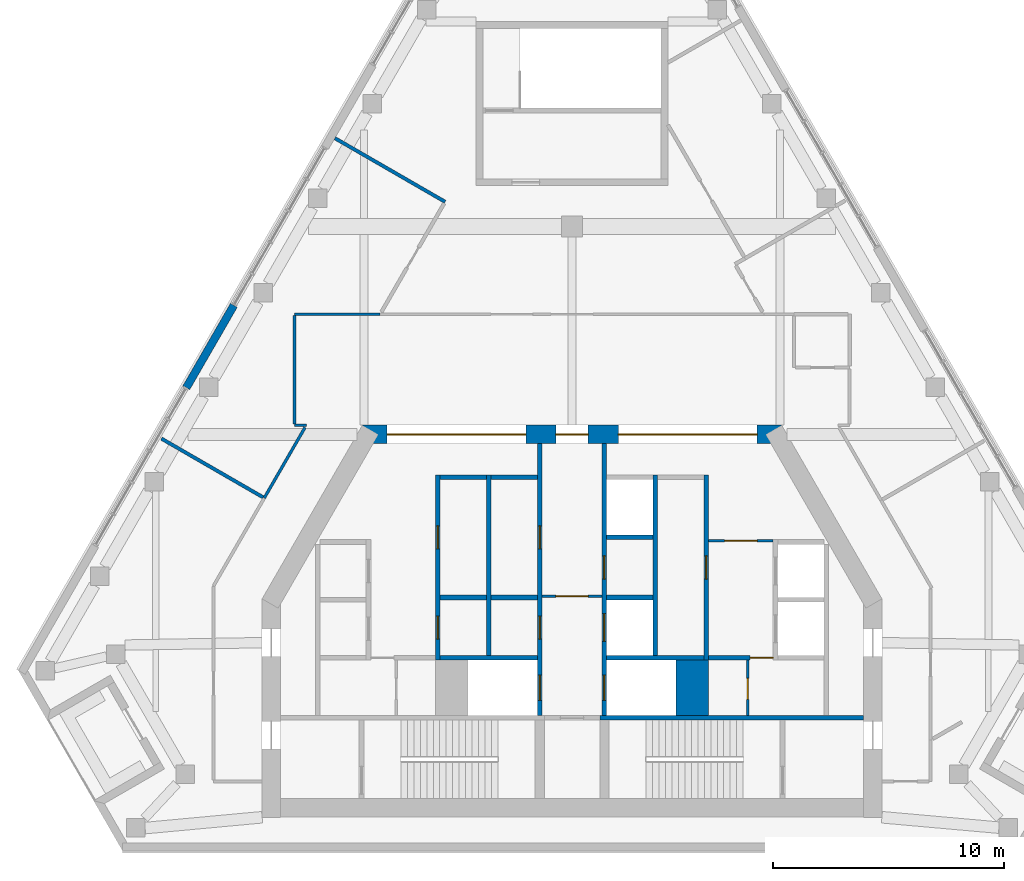
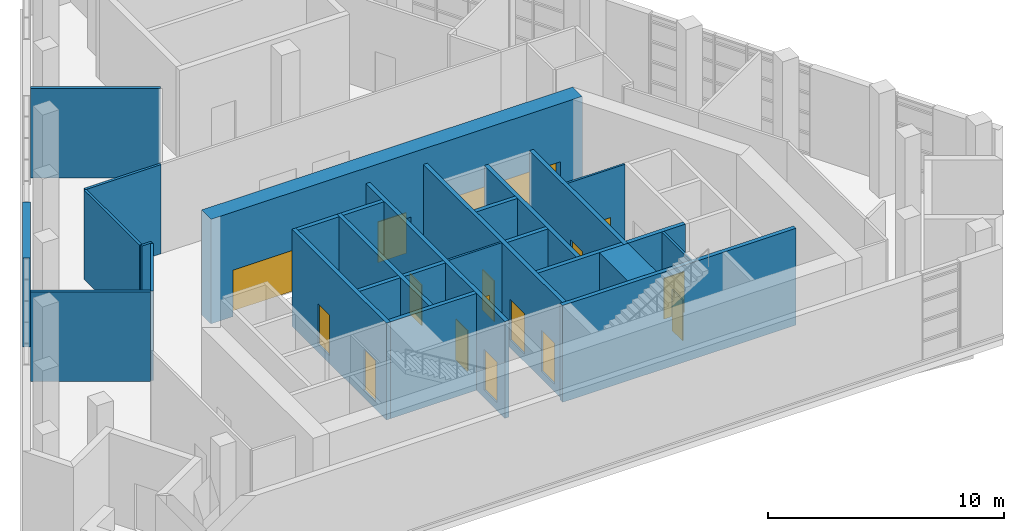
# One storey, part 10 of 13: 28 walls, 16 doors, 16 openings.
"""IFC4 building model written with IfcOpenShell, lengths in metres."""

from ifc_helpers import new_model, si_unit, direction, frame, frame_2d, origin, place, context, subcontext, project, spatial, rectangle, extrude, material, layer, layer_set, type_object, element, fill, save


model = new_model("IFC4")

# Units and contexts
model_context = context("Model", 3, precision=1e-05, world=origin(), true_north=direction((0.0, 1.0)))
body_context = subcontext(model_context, "Body", "Model", "MODEL_VIEW")
ifc_project = project(units=[si_unit("LENGTHUNIT", "METRE"), si_unit("AREAUNIT", "SQUARE_METRE"), si_unit("VOLUMEUNIT", "CUBIC_METRE"), si_unit("PLANEANGLEUNIT", "RADIAN"), si_unit("MASSUNIT", "GRAM", prefix="KILO")], contexts=[model_context])

# Site, building, storey
site_placement = place(None, origin())
site = spatial("IfcSite", under=ifc_project, at=site_placement, CompositionType="ELEMENT")
building_placement = place(site_placement, origin())
building = spatial("IfcBuilding", under=site, at=building_placement, Name="Fogline Exchange Tower", CompositionType="ELEMENT")
storey_placement = place(building_placement, frame((0.0, 0.0, 339.300048828125)))
storey = spatial("IfcBuildingStorey", under=building, at=storey_placement, Name="L77", CompositionType="ELEMENT", Elevation=339.300048828125)

# Wall, opening, door
ifc_material_1 = material(Name="Blockwork partition", Category="masonry")
ifc_layer_1 = layer(ifc_material_1, 0.10009765625)
ifc_layer_set_1 = layer_set([ifc_layer_1], Name="CW10")
wall_type_1 = type_object("IfcWallType", Name="CW10", PredefinedType="PARTITIONING", material=ifc_layer_set_1)
wall_1_placement = place(storey_placement, frame((5.89990234375, 13.39990234375, 0.0), z_axis=(0.0, 0.0, 1.0), x_axis=(1.0, 0.0, 0.0)))
wall_1 = element("IfcWall", 1, at=wall_1_placement, inside=storey, type_object=wall_type_1, Name="Lift lobby partition", PredefinedType="PARTITIONING", context=body_context, shape_type="SweptSolid", body=[
    extrude(rectangle(XDim=2.800048828125, YDim=0.10009765625, at=frame_2d((1.39990234375, 0.0))), origin(), (0.0, 0.0, 1.0), 4.599853515625),
])
opening_1_placement = place(wall_1_placement, frame((0.699951171875, 0.0, 0.0)))
opening_1 = element("IfcOpeningElement", 2, at=opening_1_placement, cuts=wall_1, Name="Opening T25-C015", PredefinedType="OPENING", context=body_context, shape_type="SweptSolid", body=[
    extrude(rectangle(XDim=1.39990234375, YDim=2.10009765625, at=frame_2d((0.699951171875, 1.050048828125))), frame((0.0, 0.06005859375, 0.0), z_axis=(0.0, -1.0, 0.0), x_axis=(1.0, 0.0, 0.0)), (0.0, 0.0, 1.0), 0.1201171875),
])
ifc_material_2 = material(Name="Steel and timber fire door", Category="steel")
door_type_1 = type_object("IfcDoorType", Name="D-LB1", OperationType="DOUBLE_DOOR_SINGLE_SWING", PredefinedType="DOOR", material=ifc_material_2)
door_1_placement = place(opening_1_placement, frame((1.39990234375, 0.0, 0.0), z_axis=(0.0, 0.0, 1.0), x_axis=(-1.0, 0.0, 0.0)))
door_1 = element("IfcDoor", 3, at=door_1_placement, inside=storey, type_object=door_type_1, Name="Door to lift lobby", OperationType="DOUBLE_DOOR_SINGLE_SWING", OverallHeight=2.10009765625, OverallWidth=1.39990234375, PredefinedType="DOOR", context=body_context, shape_type="SweptSolid", body=[
    extrude(rectangle(XDim=1.39990234375, YDim=2.10009765625, at=frame_2d((0.699951171875, 1.050048828125))), frame((0.0, 0.02490234375, 0.0), z_axis=(0.0, -1.0, 0.0), x_axis=(1.0, 0.0, 0.0)), (0.0, 0.0, 1.0), 0.050048828125),
])
fill(opening_1, door_1)

wall_2_placement = place(storey_placement, frame((7.60009765625, 5.85009765625, 0.0), z_axis=(0.0, 0.0, 1.0), x_axis=(0.0, 1.0, 0.0)))
wall_2 = element("IfcWall", 4, at=wall_2_placement, inside=storey, type_object=wall_type_1, Name="WC partition", PredefinedType="PARTITIONING", context=body_context, shape_type="SweptSolid", body=[
    extrude(rectangle(XDim=2.39990234375, YDim=0.10009765625, at=frame_2d((1.199951171875, 0.0))), origin(), (0.0, 0.0, 1.0), 4.599853515625),
])
opening_2_placement = place(wall_2_placement, frame((0.699951171875, 0.0, 0.0)))
opening_2 = element("IfcOpeningElement", 5, at=opening_2_placement, cuts=wall_2, Name="Opening T25-C017", PredefinedType="OPENING", context=body_context, shape_type="SweptSolid", body=[
    extrude(rectangle(XDim=0.89990234375, YDim=2.10009765625, at=frame_2d((0.449951171875, 1.050048828125))), frame((0.0, 0.06005859375, 0.0), z_axis=(0.0, -1.0, 0.0), x_axis=(1.0, 0.0, 0.0)), (0.0, 0.0, 1.0), 0.1201171875),
])
door_type_2 = type_object("IfcDoorType", Name="D-CS1", OperationType="SINGLE_SWING_RIGHT", PredefinedType="DOOR", material=ifc_material_2)
door_2_placement = place(opening_2_placement, origin())
door_2 = element("IfcDoor", 6, at=door_2_placement, inside=storey, type_object=door_type_2, Name="Door to Cleaner's Store", OperationType="SINGLE_SWING_LEFT", OverallHeight=2.10009765625, OverallWidth=0.89990234375, PredefinedType="DOOR", context=body_context, shape_type="SweptSolid", body=[
    extrude(rectangle(XDim=0.89990234375, YDim=2.10009765625, at=frame_2d((0.449951171875, 1.050048828125))), frame((0.0, 0.02490234375, 0.0), z_axis=(0.0, -1.0, 0.0), x_axis=(1.0, 0.0, 0.0)), (0.0, 0.0, 1.0), 0.050048828125),
])
fill(opening_2, door_2)

wall_3_placement = place(storey_placement, frame((-1.300048828125, 11.0, 0.0), z_axis=(0.0, 0.0, 1.0), x_axis=(1.0, 0.0, 0.0)))
wall_3 = element("IfcWall", 7, at=wall_3_placement, inside=storey, type_object=wall_type_1, Name="Lift lobby partition", PredefinedType="PARTITIONING", context=body_context, shape_type="SweptSolid", body=[
    extrude(rectangle(XDim=2.60009765625, YDim=0.10009765625, at=frame_2d((1.300048828125, 0.0))), origin(), (0.0, 0.0, 1.0), 4.599853515625),
])
opening_3_placement = place(wall_3_placement, frame((0.60009765625, 0.0, 0.0)))
opening_3 = element("IfcOpeningElement", 8, at=opening_3_placement, cuts=wall_3, Name="Opening T25-C021", PredefinedType="OPENING", context=body_context, shape_type="SweptSolid", body=[
    extrude(rectangle(XDim=1.39990234375, YDim=2.10009765625, at=frame_2d((0.699951171875, 1.050048828125))), frame((0.0, 0.06005859375, 0.0), z_axis=(0.0, -1.0, 0.0), x_axis=(1.0, 0.0, 0.0)), (0.0, 0.0, 1.0), 0.1201171875),
])
door_3_placement = place(opening_3_placement, frame((1.39990234375, 0.0, 0.0), z_axis=(0.0, 0.0, 1.0), x_axis=(-1.0, 0.0, 0.0)))
door_3 = element("IfcDoor", 9, at=door_3_placement, inside=storey, type_object=door_type_1, Name="Door to firefighting lift lobby", OperationType="DOUBLE_DOOR_SINGLE_SWING", OverallHeight=2.10009765625, OverallWidth=1.39990234375, PredefinedType="DOOR", context=body_context, shape_type="SweptSolid", body=[
    extrude(rectangle(XDim=1.39990234375, YDim=2.10009765625, at=frame_2d((0.699951171875, 1.050048828125))), frame((0.0, 0.02490234375, 0.0), z_axis=(0.0, -1.0, 0.0), x_axis=(1.0, 0.0, 0.0)), (0.0, 0.0, 1.0), 0.050048828125),
])
fill(opening_3, door_3)

# Walls
ifc_material_3 = material(Name="Concrete C60", Category="concrete")
ifc_layer_2 = layer(ifc_material_3, 1.39990234375)
ifc_layer_set_2 = layer_set([ifc_layer_2], Name="CW140")
wall_type_2 = type_object("IfcWallType", Name="CW140", PredefinedType="SOLIDWALL", material=ifc_layer_set_2)
wall_4_placement = place(storey_placement, frame((5.199951171875, 5.85009765625, -0.400146484375), z_axis=(0.0, 0.0, 1.0), x_axis=(0.0, 1.0, 0.0)))
element("IfcWall", 10, at=wall_4_placement, inside=storey, type_object=wall_type_2, Name="Lift shaft block wall", PredefinedType="SOLIDWALL", context=body_context, shape_type="SweptSolid", body=[
    extrude(rectangle(XDim=2.39990234375, YDim=1.39990234375, at=frame_2d((1.199951171875, 0.0))), origin(), (0.0, 0.0, 1.0), 5.0),
])
ifc_material_4 = material(Name="Concrete C40", Category="concrete")
ifc_layer_3 = layer(ifc_material_4, 0.199951171875)
ifc_layer_set_3 = layer_set([ifc_layer_3], Name="CW20")
wall_type_3 = type_object("IfcWallType", Name="CW20", PredefinedType="SOLIDWALL", material=ifc_layer_set_3)
for number, where, z_axis, x_axis, name in (
    (11, (-5.699951171875, 10.949951171875, 0.0), (0.0, 0.0, 1.0), (1.0, 0.0, 0.0), "Service room wall"),
    (12, (-3.5, 10.949951171875, 0.0), (0.0, 0.0, 1.0), (1.0, 0.0, 0.0), "Service room wall"),
):
    element("IfcWall", number, at=place(storey_placement, frame(where, z_axis=z_axis, x_axis=x_axis)), inside=storey, type_object=wall_type_3, Name=name, PredefinedType="SOLIDWALL", context=body_context, shape_type="SweptSolid", body=[
        extrude(rectangle(XDim=2.0, YDim=0.199951171875, at=frame_2d((1.0, 0.0))), origin(), (0.0, 0.0, 1.0), 4.599853515625),
    ])

# Wall, opening, door
wall_5_placement = place(storey_placement, frame((5.89990234375, 8.35009765625, 0.0), z_axis=(0.0, 0.0, 1.0), x_axis=(1.0, 0.0, 0.0)))
wall_5 = element("IfcWall", 13, at=wall_5_placement, inside=storey, type_object=wall_type_3, Name="WC wall", PredefinedType="SOLIDWALL", context=body_context, shape_type="SweptSolid", body=[
    extrude(rectangle(XDim=2.800048828125, YDim=0.199951171875, at=frame_2d((1.39990234375, 0.0))), origin(), (0.0, 0.0, 1.0), 4.599853515625),
])
opening_4_placement = place(wall_5_placement, frame((1.800048828125, 0.0, 0.0)))
opening_4 = element("IfcOpeningElement", 14, at=opening_4_placement, cuts=wall_5, Name="Opening T25-C016", PredefinedType="OPENING", context=body_context, shape_type="SweptSolid", body=[
    extrude(rectangle(XDim=1.0, YDim=2.10009765625, at=frame_2d((0.5, 1.050048828125))), frame((0.0, 0.10986328125, 0.0), z_axis=(0.0, -1.0, 0.0), x_axis=(1.0, 0.0, 0.0)), (0.0, 0.0, 1.0), 0.219970703125),
])
door_type_3 = type_object("IfcDoorType", Name="D-WC1", OperationType="SINGLE_SWING_LEFT", PredefinedType="DOOR", material=ifc_material_2)
door_4_placement = place(opening_4_placement, frame((1.0, 0.0, 0.0), z_axis=(0.0, 0.0, 1.0), x_axis=(-1.0, 0.0, 0.0)))
door_4 = element("IfcDoor", 15, at=door_4_placement, inside=storey, type_object=door_type_3, Name="Door to Women's WC", OperationType="SINGLE_SWING_LEFT", OverallHeight=2.10009765625, OverallWidth=1.0, PredefinedType="DOOR", context=body_context, shape_type="SweptSolid", body=[
    extrude(rectangle(XDim=1.0, YDim=2.10009765625, at=frame_2d((0.5, 1.050048828125))), frame((0.0, 0.02490234375, 0.0), z_axis=(0.0, -1.0, 0.0), x_axis=(1.0, 0.0, 0.0)), (0.0, 0.0, 1.0), 0.050048828125),
])
fill(opening_4, door_4)

# Wall
ifc_layer_4 = layer(ifc_material_4, 0.199951171875)
ifc_layer_set_4 = layer_set([ifc_layer_4], Name="CW20R")
wall_type_4 = type_object("IfcWallType", Name="CW20R", PredefinedType="SOLIDWALL", material=ifc_layer_set_4)
wall_6_placement = place(storey_placement, frame((1.199951171875, 5.75, -0.400146484375), z_axis=(0.0, 0.0, 1.0), x_axis=(1.0, 0.0, 0.0)))
element("IfcWall", 16, at=wall_6_placement, inside=storey, type_object=wall_type_4, Name="Stair enclosure wall", PredefinedType="SOLIDWALL", context=body_context, shape_type="SweptSolid", body=[
    extrude(rectangle(XDim=11.400146484375, YDim=0.199951171875, at=frame_2d((5.7001953125, 0.0))), origin(), (0.0, 0.0, 1.0), 5.0),
])

# Wall, openings, doors
ifc_layer_5 = layer(ifc_material_4, 0.199951171875)
ifc_layer_set_5 = layer_set([ifc_layer_5], Name="CW20S")
wall_type_5 = type_object("IfcWallType", Name="CW20S", PredefinedType="SOLIDWALL", material=ifc_layer_set_5)
wall_7_placement = place(storey_placement, frame((-5.800048828125, 8.25, -0.400146484375), z_axis=(0.0, 0.0, 1.0), x_axis=(0.0, 1.0, 0.0)))
wall_7 = element("IfcWall", 17, at=wall_7_placement, inside=storey, type_object=wall_type_5, Name="Lift shaft wall", PredefinedType="SOLIDWALL", context=body_context, shape_type="SweptSolid", body=[
    extrude(rectangle(XDim=8.0, YDim=0.199951171875, at=frame_2d((4.0, 0.0))), origin(), (0.0, 0.0, 1.0), 5.0),
])
opening_5_placement = place(wall_7_placement, frame((0.89990234375, 0.0, 0.39990234375)))
opening_5 = element("IfcOpeningElement", 18, at=opening_5_placement, cuts=wall_7, Name="Opening T25-C003", PredefinedType="OPENING", context=body_context, shape_type="SweptSolid", body=[
    extrude(rectangle(XDim=1.0, YDim=2.10009765625, at=frame_2d((0.5, 1.050048828125))), frame((0.0, 0.10986328125, 0.0), z_axis=(0.0, -1.0, 0.0), x_axis=(1.0, 0.0, 0.0)), (0.0, 0.0, 1.0), 0.219970703125),
])
opening_6_placement = place(wall_7_placement, frame((4.800048828125, 0.0, 0.39990234375)))
opening_6 = element("IfcOpeningElement", 19, at=opening_6_placement, cuts=wall_7, Name="Opening T25-C004", PredefinedType="OPENING", context=body_context, shape_type="SweptSolid", body=[
    extrude(rectangle(XDim=1.0, YDim=2.10009765625, at=frame_2d((0.5, 1.050048828125))), frame((0.0, 0.10986328125, 0.0), z_axis=(0.0, -1.0, 0.0), x_axis=(1.0, 0.0, 0.0)), (0.0, 0.0, 1.0), 0.219970703125),
])
door_type_4 = type_object("IfcDoorType", Name="D-RM1", OperationType="SINGLE_SWING_LEFT", PredefinedType="DOOR", material=ifc_material_2)
door_5_placement = place(opening_5_placement, frame((1.0, 0.0, 0.0), z_axis=(0.0, 0.0, 1.0), x_axis=(-1.0, 0.0, 0.0)))
door_5 = element("IfcDoor", 20, at=door_5_placement, inside=storey, type_object=door_type_4, Name="Door to Archive Store", OperationType="SINGLE_SWING_LEFT", OverallHeight=2.10009765625, OverallWidth=1.0, PredefinedType="DOOR", context=body_context, shape_type="SweptSolid", body=[
    extrude(rectangle(XDim=1.0, YDim=2.10009765625, at=frame_2d((0.5, 1.050048828125))), frame((0.0, 0.02490234375, 0.0), z_axis=(0.0, -1.0, 0.0), x_axis=(1.0, 0.0, 0.0)), (0.0, 0.0, 1.0), 0.050048828125),
])
fill(opening_5, door_5)
door_6_placement = place(opening_6_placement, frame((1.0, 0.0, 0.0), z_axis=(0.0, 0.0, 1.0), x_axis=(-1.0, 0.0, 0.0)))
door_6 = element("IfcDoor", 21, at=door_6_placement, inside=storey, type_object=door_type_4, Name="Door to Storage Room", OperationType="SINGLE_SWING_RIGHT", OverallHeight=2.10009765625, OverallWidth=1.0, PredefinedType="DOOR", context=body_context, shape_type="SweptSolid", body=[
    extrude(rectangle(XDim=1.0, YDim=2.10009765625, at=frame_2d((0.5, 1.050048828125))), frame((0.0, 0.02490234375, 0.0), z_axis=(0.0, -1.0, 0.0), x_axis=(1.0, 0.0, 0.0)), (0.0, 0.0, 1.0), 0.050048828125),
])
fill(opening_6, door_6)

# Wall, opening, door
wall_8_placement = place(storey_placement, frame((5.800048828125, 8.25, -0.400146484375), z_axis=(0.0, 0.0, 1.0), x_axis=(0.0, 1.0, 0.0)))
wall_8 = element("IfcWall", 22, at=wall_8_placement, inside=storey, type_object=wall_type_5, Name="Lift shaft wall", PredefinedType="SOLIDWALL", context=body_context, shape_type="SweptSolid", body=[
    extrude(rectangle(XDim=8.0, YDim=0.199951171875, at=frame_2d((4.0, 0.0))), origin(), (0.0, 0.0, 1.0), 5.0),
])
opening_7_placement = place(wall_8_placement, frame((3.5, 0.0, 0.39990234375)))
opening_7 = element("IfcOpeningElement", 23, at=opening_7_placement, cuts=wall_8, Name="Opening T25-C007", PredefinedType="OPENING", context=body_context, shape_type="SweptSolid", body=[
    extrude(rectangle(XDim=1.0, YDim=2.10009765625, at=frame_2d((0.5, 1.050048828125))), frame((0.0, 0.10986328125, 0.0), z_axis=(0.0, -1.0, 0.0), x_axis=(1.0, 0.0, 0.0)), (0.0, 0.0, 1.0), 0.219970703125),
])
door_7_placement = place(opening_7_placement, origin())
door_7 = element("IfcDoor", 24, at=door_7_placement, inside=storey, type_object=door_type_4, Name="Door to Pantry", OperationType="SINGLE_SWING_LEFT", OverallHeight=2.10009765625, OverallWidth=1.0, PredefinedType="DOOR", context=body_context, shape_type="SweptSolid", body=[
    extrude(rectangle(XDim=1.0, YDim=2.10009765625, at=frame_2d((0.5, 1.050048828125))), frame((0.0, 0.02490234375, 0.0), z_axis=(0.0, -1.0, 0.0), x_axis=(1.0, 0.0, 0.0)), (0.0, 0.0, 1.0), 0.050048828125),
])
fill(opening_7, door_7)

# Walls
for number, where, z_axis, x_axis, name in (
    (25, (-3.60009765625, 8.449951171875, -0.400146484375), (0.0, 0.0, 1.0), (0.0, 1.0, 0.0), "Lift shaft wall"),
    (26, (3.60009765625, 8.449951171875, -0.400146484375), (0.0, 0.0, 1.0), (0.0, 1.0, 0.0), "Lift shaft wall"),
):
    element("IfcWall", number, at=place(storey_placement, frame(where, z_axis=z_axis, x_axis=x_axis)), inside=storey, type_object=wall_type_5, Name=name, PredefinedType="SOLIDWALL", context=body_context, shape_type="SweptSolid", body=[
        extrude(rectangle(XDim=7.800048828125, YDim=0.199951171875, at=frame_2d((3.89990234375, 0.0))), origin(), (0.0, 0.0, 1.0), 5.0),
    ])

# Wall, openings, doors
wall_9_placement = place(storey_placement, frame((-1.39990234375, 5.85009765625, -0.400146484375), z_axis=(0.0, 0.0, 1.0), x_axis=(0.0, 1.0, 0.0)))
wall_9 = element("IfcWall", 27, at=wall_9_placement, inside=storey, type_object=wall_type_5, Name="Lift lobby wall", PredefinedType="SOLIDWALL", context=body_context, shape_type="SweptSolid", body=[
    extrude(rectangle(XDim=11.75, YDim=0.199951171875, at=frame_2d((5.875, 0.0))), origin(), (0.0, 0.0, 1.0), 5.0),
])
opening_8_placement = place(wall_9_placement, frame((0.64990234375, 0.0, 0.39990234375)))
opening_8 = element("IfcOpeningElement", 28, at=opening_8_placement, cuts=wall_9, Name="Opening T25-LD01", PredefinedType="OPENING", context=body_context, shape_type="SweptSolid", body=[
    extrude(rectangle(XDim=1.10009765625, YDim=2.10009765625, at=frame_2d((0.550048828125, 1.050048828125))), frame((0.0, 0.10986328125, 0.0), z_axis=(0.0, -1.0, 0.0), x_axis=(1.0, 0.0, 0.0)), (0.0, 0.0, 1.0), 0.219970703125),
])
opening_9_placement = place(wall_9_placement, frame((3.300048828125, 0.0, 0.39990234375)))
opening_9 = element("IfcOpeningElement", 29, at=opening_9_placement, cuts=wall_9, Name="Opening T25-C005", PredefinedType="OPENING", context=body_context, shape_type="SweptSolid", body=[
    extrude(rectangle(XDim=1.0, YDim=2.10009765625, at=frame_2d((0.5, 1.050048828125))), frame((0.0, 0.10986328125, 0.0), z_axis=(0.0, -1.0, 0.0), x_axis=(1.0, 0.0, 0.0)), (0.0, 0.0, 1.0), 0.219970703125),
])
opening_10_placement = place(wall_9_placement, frame((7.199951171875, 0.0, 0.39990234375)))
opening_10 = element("IfcOpeningElement", 30, at=opening_10_placement, cuts=wall_9, Name="Opening T25-C006", PredefinedType="OPENING", context=body_context, shape_type="SweptSolid", body=[
    extrude(rectangle(XDim=1.0, YDim=2.10009765625, at=frame_2d((0.5, 1.050048828125))), frame((0.0, 0.10986328125, 0.0), z_axis=(0.0, -1.0, 0.0), x_axis=(1.0, 0.0, 0.0)), (0.0, 0.0, 1.0), 0.219970703125),
])
door_8_placement = place(opening_9_placement, origin())
door_8 = element("IfcDoor", 31, at=door_8_placement, inside=storey, type_object=door_type_4, Name="Door to Stationery Store", OperationType="SINGLE_SWING_LEFT", OverallHeight=2.10009765625, OverallWidth=1.0, PredefinedType="DOOR", context=body_context, shape_type="SweptSolid", body=[
    extrude(rectangle(XDim=1.0, YDim=2.10009765625, at=frame_2d((0.5, 1.050048828125))), frame((0.0, 0.02490234375, 0.0), z_axis=(0.0, -1.0, 0.0), x_axis=(1.0, 0.0, 0.0)), (0.0, 0.0, 1.0), 0.050048828125),
])
fill(opening_9, door_8)
door_9_placement = place(opening_10_placement, origin())
door_9 = element("IfcDoor", 32, at=door_9_placement, inside=storey, type_object=door_type_4, Name="Door to Reprographics Room", OperationType="SINGLE_SWING_LEFT", OverallHeight=2.10009765625, OverallWidth=1.0, PredefinedType="DOOR", context=body_context, shape_type="SweptSolid", body=[
    extrude(rectangle(XDim=1.0, YDim=2.10009765625, at=frame_2d((0.5, 1.050048828125))), frame((0.0, 0.02490234375, 0.0), z_axis=(0.0, -1.0, 0.0), x_axis=(1.0, 0.0, 0.0)), (0.0, 0.0, 1.0), 0.050048828125),
])
fill(opening_10, door_9)
door_type_5 = type_object("IfcDoorType", Name="LD2", OperationType="SLIDING_TO_RIGHT", PredefinedType="DOOR", material=ifc_material_2)
door_10_placement = place(opening_8_placement, origin())
door_10 = element("IfcDoor", 33, at=door_10_placement, inside=storey, type_object=door_type_5, Name="Landing door FF1", OperationType="SLIDING_TO_RIGHT", OverallHeight=2.10009765625, OverallWidth=1.10009765625, PredefinedType="DOOR", context=body_context, shape_type="SweptSolid", body=[
    extrude(rectangle(XDim=1.10009765625, YDim=2.10009765625, at=frame_2d((0.550048828125, 1.050048828125))), frame((0.0, 0.02490234375, 0.0), z_axis=(0.0, -1.0, 0.0), x_axis=(1.0, 0.0, 0.0)), (0.0, 0.0, 1.0), 0.050048828125),
])
fill(opening_8, door_10)

wall_10_placement = place(storey_placement, frame((1.39990234375, 5.85009765625, -0.400146484375), z_axis=(0.0, 0.0, 1.0), x_axis=(0.0, 1.0, 0.0)))
wall_10 = element("IfcWall", 34, at=wall_10_placement, inside=storey, type_object=wall_type_5, Name="Lift lobby wall", PredefinedType="SOLIDWALL", context=body_context, shape_type="SweptSolid", body=[
    extrude(rectangle(XDim=11.75, YDim=0.199951171875, at=frame_2d((5.875, 0.0))), origin(), (0.0, 0.0, 1.0), 5.0),
])
opening_11_placement = place(wall_10_placement, frame((3.199951171875, 0.0, 0.39990234375)))
opening_11 = element("IfcOpeningElement", 35, at=opening_11_placement, cuts=wall_10, Name="Opening T25-LD04", PredefinedType="OPENING", context=body_context, shape_type="SweptSolid", body=[
    extrude(rectangle(XDim=1.199951171875, YDim=2.10009765625, at=frame_2d((0.60009765625, 1.050048828125))), frame((0.0, 0.10986328125, 0.0), z_axis=(0.0, -1.0, 0.0), x_axis=(1.0, 0.0, 0.0)), (0.0, 0.0, 1.0), 0.219970703125),
])
opening_12_placement = place(wall_10_placement, frame((0.64990234375, 0.0, 0.39990234375)))
opening_12 = element("IfcOpeningElement", 36, at=opening_12_placement, cuts=wall_10, Name="Opening T25-LD05", PredefinedType="OPENING", context=body_context, shape_type="SweptSolid", body=[
    extrude(rectangle(XDim=1.10009765625, YDim=2.10009765625, at=frame_2d((0.550048828125, 1.050048828125))), frame((0.0, 0.10986328125, 0.0), z_axis=(0.0, -1.0, 0.0), x_axis=(1.0, 0.0, 0.0)), (0.0, 0.0, 1.0), 0.219970703125),
])
opening_13_placement = place(wall_10_placement, frame((5.89990234375, 0.0, 0.39990234375)))
opening_13 = element("IfcOpeningElement", 37, at=opening_13_placement, cuts=wall_10, Name="Opening T25-C008", PredefinedType="OPENING", context=body_context, shape_type="SweptSolid", body=[
    extrude(rectangle(XDim=1.0, YDim=2.10009765625, at=frame_2d((0.5, 1.050048828125))), frame((0.0, 0.10986328125, 0.0), z_axis=(0.0, -1.0, 0.0), x_axis=(1.0, 0.0, 0.0)), (0.0, 0.0, 1.0), 0.219970703125),
])
door_11_placement = place(opening_13_placement, frame((1.0, 0.0, 0.0), z_axis=(0.0, 0.0, 1.0), x_axis=(-1.0, 0.0, 0.0)))
door_11 = element("IfcDoor", 38, at=door_11_placement, inside=storey, type_object=door_type_4, Name="Door to Archive Store", OperationType="SINGLE_SWING_RIGHT", OverallHeight=2.10009765625, OverallWidth=1.0, PredefinedType="DOOR", context=body_context, shape_type="SweptSolid", body=[
    extrude(rectangle(XDim=1.0, YDim=2.10009765625, at=frame_2d((0.5, 1.050048828125))), frame((0.0, 0.02490234375, 0.0), z_axis=(0.0, -1.0, 0.0), x_axis=(1.0, 0.0, 0.0)), (0.0, 0.0, 1.0), 0.050048828125),
])
fill(opening_13, door_11)
door_type_6 = type_object("IfcDoorType", Name="LD1", OperationType="SLIDING_TO_LEFT", PredefinedType="DOOR", material=ifc_material_2)
door_12_placement = place(opening_11_placement, origin())
door_12 = element("IfcDoor", 39, at=door_12_placement, inside=storey, type_object=door_type_6, Name="Landing door HR3", OperationType="SLIDING_TO_LEFT", OverallHeight=2.10009765625, OverallWidth=1.199951171875, PredefinedType="DOOR", context=body_context, shape_type="SweptSolid", body=[
    extrude(rectangle(XDim=1.199951171875, YDim=2.10009765625, at=frame_2d((0.60009765625, 1.050048828125))), frame((0.0, 0.02490234375, 0.0), z_axis=(0.0, -1.0, 0.0), x_axis=(1.0, 0.0, 0.0)), (0.0, 0.0, 1.0), 0.050048828125),
])
fill(opening_11, door_12)
door_13_placement = place(opening_12_placement, origin())
door_13 = element("IfcDoor", 40, at=door_13_placement, inside=storey, type_object=door_type_5, Name="Landing door FF2", OperationType="SLIDING_TO_RIGHT", OverallHeight=2.10009765625, OverallWidth=1.10009765625, PredefinedType="DOOR", context=body_context, shape_type="SweptSolid", body=[
    extrude(rectangle(XDim=1.10009765625, YDim=2.10009765625, at=frame_2d((0.550048828125, 1.050048828125))), frame((0.0, 0.02490234375, 0.0), z_axis=(0.0, -1.0, 0.0), x_axis=(1.0, 0.0, 0.0)), (0.0, 0.0, 1.0), 0.050048828125),
])
fill(opening_12, door_13)

# Walls
for number, where, z_axis, x_axis, name in (
    (41, (-5.699951171875, 8.35009765625, -0.400146484375), (0.0, 0.0, 1.0), (1.0, 0.0, 0.0), "Lift shaft wall"),
    (42, (1.5, 8.35009765625, -0.400146484375), (0.0, 0.0, 1.0), (1.0, 0.0, 0.0), "Lift shaft wall"),
):
    element("IfcWall", number, at=place(storey_placement, frame(where, z_axis=z_axis, x_axis=x_axis)), inside=storey, type_object=wall_type_5, Name=name, PredefinedType="SOLIDWALL", context=body_context, shape_type="SweptSolid", body=[
        extrude(rectangle(XDim=4.199951171875, YDim=0.199951171875, at=frame_2d((2.10009765625, 0.0))), origin(), (0.0, 0.0, 1.0), 5.0),
    ])
for number, where, z_axis, x_axis, name in (
    (43, (-5.699951171875, 16.14990234375, -0.400146484375), (0.0, 0.0, 1.0), (1.0, 0.0, 0.0), "Lift shaft wall"),
    (44, (-3.5, 16.14990234375, -0.400146484375), (0.0, 0.0, 1.0), (1.0, 0.0, 0.0), "Lift shaft wall"),
    (45, (1.5, 10.949951171875, -0.400146484375), (0.0, 0.0, 1.0), (1.0, 0.0, 0.0), "Lift shaft wall"),
    (46, (1.5, 13.550048828125, -0.400146484375), (0.0, 0.0, 1.0), (1.0, 0.0, 0.0), "Lift shaft wall"),
):
    element("IfcWall", number, at=place(storey_placement, frame(where, z_axis=z_axis, x_axis=x_axis)), inside=storey, type_object=wall_type_5, Name=name, PredefinedType="SOLIDWALL", context=body_context, shape_type="SweptSolid", body=[
        extrude(rectangle(XDim=2.0, YDim=0.199951171875, at=frame_2d((1.0, 0.0))), origin(), (0.0, 0.0, 1.0), 5.0),
    ])
ifc_material_5 = material(Name="Brick masonry", Category="masonry")
ifc_layer_6 = layer(ifc_material_5, 0.340087890625)
ifc_layer_set_6 = layer_set([ifc_layer_6], Name="FW1")
wall_type_6 = type_object("IfcWallType", Name="FW1", PredefinedType="SOLIDWALL", material=ifc_layer_set_6)
wall_11_placement = place(storey_placement, frame((-14.62158203125, 23.585693359375, 0.0), z_axis=(0.0, 0.0, 1.0), x_axis=(-0.499974107589, -0.866040352259, 0.0)))
element("IfcWall", 47, at=wall_11_placement, inside=storey, type_object=wall_type_6, Name="Brick wall L77 W bay 3", PredefinedType="SOLIDWALL", context=body_context, shape_type="SweptSolid", body=[
    extrude(rectangle(XDim=4.114990234375, YDim=0.340087890625, at=frame_2d((2.0576171875, 0.0))), origin(), (0.0, 0.0, 1.0), 4.599853515625),
])
ifc_material_6 = material(Name="Plasterboard corridor partition with mineral wool, 2 layers each side")
ifc_layer_7 = layer(ifc_material_6, 0.125)
ifc_layer_set_7 = layer_set([ifc_layer_7], Name="PW2")
wall_type_7 = type_object("IfcWallType", Name="PW2", PredefinedType="PARTITIONING", material=ifc_layer_set_7)
wall_12_placement = place(storey_placement, frame((-11.489990234375, 18.39990234375, 0.0), z_axis=(0.0, 0.0, 1.0), x_axis=(-1.0, 0.0, 0.0)))
element("IfcWall", 48, at=wall_12_placement, inside=storey, type_object=wall_type_7, Name="wall-L77-W012", PredefinedType="PARTITIONING", context=body_context, shape_type="SweptSolid", body=[
    extrude(rectangle(XDim=0.510009765625, YDim=0.125, at=frame_2d((0.2548828125, 0.0))), origin(), (0.0, 0.0, 1.0), 4.599853515625),
])
wall_13_placement = place(storey_placement, frame((-12.0, 18.46240234375, 0.0), z_axis=(0.0, 0.0, 1.0), x_axis=(0.0, 1.0, 0.0)))
element("IfcWall", 49, at=wall_13_placement, inside=storey, type_object=wall_type_7, Name="wall-L77-W013", PredefinedType="PARTITIONING", context=body_context, shape_type="SweptSolid", body=[
    extrude(rectangle(XDim=4.675048828125, YDim=0.125, at=frame_2d((2.33740234375, 0.0))), origin(), (0.0, 0.0, 1.0), 4.599853515625),
])
wall_14_placement = place(storey_placement, frame((-12.0, 23.199951171875, 0.0), z_axis=(0.0, 0.0, 1.0), x_axis=(1.0, 0.0, 0.0)))
element("IfcWall", 50, at=wall_14_placement, inside=storey, type_object=wall_type_7, Name="wall-L77-W014", PredefinedType="PARTITIONING", context=body_context, shape_type="SweptSolid", body=[
    extrude(rectangle(XDim=3.702880859375, YDim=0.125, at=frame_2d((1.8515625, 0.0))), origin(), (0.0, 0.0, 1.0), 4.599853515625),
])
wall_15_placement = place(storey_placement, frame((-13.30615234375, 15.25439453125, 0.0), z_axis=(0.0, 0.0, 1.0), x_axis=(0.499984357326, 0.866034434898, 0.0)))
element("IfcWall", 51, at=wall_15_placement, inside=storey, type_object=wall_type_7, Name="wall-L77-W015", PredefinedType="PARTITIONING", context=body_context, shape_type="SweptSolid", body=[
    extrude(rectangle(XDim=3.5234375, YDim=0.125, at=frame_2d((1.76171875, 0.0))), origin(), (0.0, 0.0, 1.0), 4.599853515625),
])
ifc_material_7 = material(Name="Plasterboard demising partition with mineral wool and acoustic board")
ifc_layer_8 = layer(ifc_material_7, 0.14990234375)
ifc_layer_set_8 = layer_set([ifc_layer_8], Name="PW3")
wall_type_8 = type_object("IfcWallType", Name="PW3", PredefinedType="PARTITIONING", material=ifc_layer_set_8)
wall_16_placement = place(storey_placement, frame((-5.489990234375, 28.06201171875, 0.0), z_axis=(0.0, 0.0, 1.0), x_axis=(-0.866027397988, 0.499996545922, 0.0)))
element("IfcWall", 52, at=wall_16_placement, inside=storey, type_object=wall_type_8, Name="wall-L77-W029", PredefinedType="PARTITIONING", context=body_context, shape_type="SweptSolid", body=[
    extrude(rectangle(XDim=5.5, YDim=0.14990234375, at=frame_2d((2.75, 0.0))), origin(), (0.0, 0.0, 1.0), 4.599853515625),
])
wall_17_placement = place(storey_placement, frame((-13.3603515625, 15.285400390625, 0.0), z_axis=(0.0, 0.0, 1.0), x_axis=(-0.86601005171, 0.50002658963, 0.0)))
element("IfcWall", 53, at=wall_17_placement, inside=storey, type_object=wall_type_8, Name="wall-L77-W030", PredefinedType="PARTITIONING", context=body_context, shape_type="SweptSolid", body=[
    extrude(rectangle(XDim=5.072509765625, YDim=0.14990234375, at=frame_2d((2.5361328125, 0.0))), origin(), (0.0, 0.0, 1.0), 4.599853515625),
])

# Wall, openings, doors
ifc_material_8 = material(Name="Concrete C50", Category="concrete")
ifc_layer_9 = layer(ifc_material_8, 0.800048828125)
ifc_layer_set_9 = layer_set([ifc_layer_9], Name="SW04")
wall_type_9 = type_object("IfcWallType", Name="SW04", PredefinedType="SHEAR", material=ifc_layer_set_9)
wall_18_placement = place(storey_placement, frame((9.065185546875, 18.0, 0.0), z_axis=(0.0, 0.0, 1.0), x_axis=(-1.0, 0.0, 0.0)))
wall_18 = element("IfcWall", 54, at=wall_18_placement, inside=storey, type_object=wall_type_9, Name="L77-W904", PredefinedType="SHEAR", context=body_context, shape_type="SweptSolid", body=[
    extrude(rectangle(XDim=18.13037109375, YDim=0.800048828125, at=frame_2d((9.065185546875, 0.0))), origin(), (0.0, 0.0, 1.0), 5.39990234375),
])
opening_14_placement = place(wall_18_placement, frame((8.364990234375, 0.0, 0.0)))
opening_14 = element("IfcOpeningElement", 55, at=opening_14_placement, cuts=wall_18, Name="Opening T25-C022", PredefinedType="OPENING", context=body_context, shape_type="SweptSolid", body=[
    extrude(rectangle(XDim=1.39990234375, YDim=2.10009765625, at=frame_2d((0.699951171875, 1.050048828125))), frame((0.0, 0.41015625, 0.0), z_axis=(0.0, -1.0, 0.0), x_axis=(1.0, 0.0, 0.0)), (0.0, 0.0, 1.0), 0.820068359375),
])
opening_15_placement = place(wall_18_placement, frame((11.065185546875, 0.0, 0.0)))
opening_15 = element("IfcOpeningElement", 56, at=opening_15_placement, cuts=wall_18, Name="Opening T25-C023", PredefinedType="OPENING", context=body_context, shape_type="SweptSolid", body=[
    extrude(rectangle(XDim=6.0, YDim=2.39990234375, at=frame_2d((3.0, 1.199951171875))), frame((0.0, 0.41015625, 0.0), z_axis=(0.0, -1.0, 0.0), x_axis=(1.0, 0.0, 0.0)), (0.0, 0.0, 1.0), 0.820068359375),
])
opening_16_placement = place(wall_18_placement, frame((1.065185546875, 0.0, 0.0)))
opening_16 = element("IfcOpeningElement", 57, at=opening_16_placement, cuts=wall_18, Name="Opening T25-C024", PredefinedType="OPENING", context=body_context, shape_type="SweptSolid", body=[
    extrude(rectangle(XDim=6.0, YDim=2.39990234375, at=frame_2d((3.0, 1.199951171875))), frame((0.0, 0.41015625, 0.0), z_axis=(0.0, -1.0, 0.0), x_axis=(1.0, 0.0, 0.0)), (0.0, 0.0, 1.0), 0.820068359375),
])
door_14_placement = place(opening_14_placement, origin())
door_14 = element("IfcDoor", 58, at=door_14_placement, inside=storey, type_object=door_type_1, Name="Protected lobby door", OperationType="DOUBLE_DOOR_SINGLE_SWING", OverallHeight=2.10009765625, OverallWidth=1.39990234375, PredefinedType="DOOR", context=body_context, shape_type="SweptSolid", body=[
    extrude(rectangle(XDim=1.39990234375, YDim=2.10009765625, at=frame_2d((0.699951171875, 1.050048828125))), frame((0.0, 0.02490234375, 0.0), z_axis=(0.0, -1.0, 0.0), x_axis=(1.0, 0.0, 0.0)), (0.0, 0.0, 1.0), 0.050048828125),
])
fill(opening_14, door_14)
door_type_7 = type_object("IfcDoorType", Name="D-LE1", OperationType="DOUBLE_DOOR_SLIDING", PredefinedType="DOOR", material=ifc_material_2)
door_15_placement = place(opening_15_placement, origin())
door_15 = element("IfcDoor", 59, at=door_15_placement, inside=storey, type_object=door_type_7, Name="Lift lobby entrance west", OperationType="DOUBLE_DOOR_SLIDING", OverallHeight=2.39990234375, OverallWidth=6.0, PredefinedType="DOOR", context=body_context, shape_type="SweptSolid", body=[
    extrude(rectangle(XDim=6.0, YDim=2.39990234375, at=frame_2d((3.0, 1.199951171875))), frame((0.0, 0.02490234375, 0.0), z_axis=(0.0, -1.0, 0.0), x_axis=(1.0, 0.0, 0.0)), (0.0, 0.0, 1.0), 0.050048828125),
])
fill(opening_15, door_15)
door_16_placement = place(opening_16_placement, origin())
door_16 = element("IfcDoor", 60, at=door_16_placement, inside=storey, type_object=door_type_7, Name="Lift lobby entrance east", OperationType="DOUBLE_DOOR_SLIDING", OverallHeight=2.39990234375, OverallWidth=6.0, PredefinedType="DOOR", context=body_context, shape_type="SweptSolid", body=[
    extrude(rectangle(XDim=6.0, YDim=2.39990234375, at=frame_2d((3.0, 1.199951171875))), frame((0.0, 0.02490234375, 0.0), z_axis=(0.0, -1.0, 0.0), x_axis=(1.0, 0.0, 0.0)), (0.0, 0.0, 1.0), 0.050048828125),
])
fill(opening_16, door_16)

save(model, "model.ifc")
